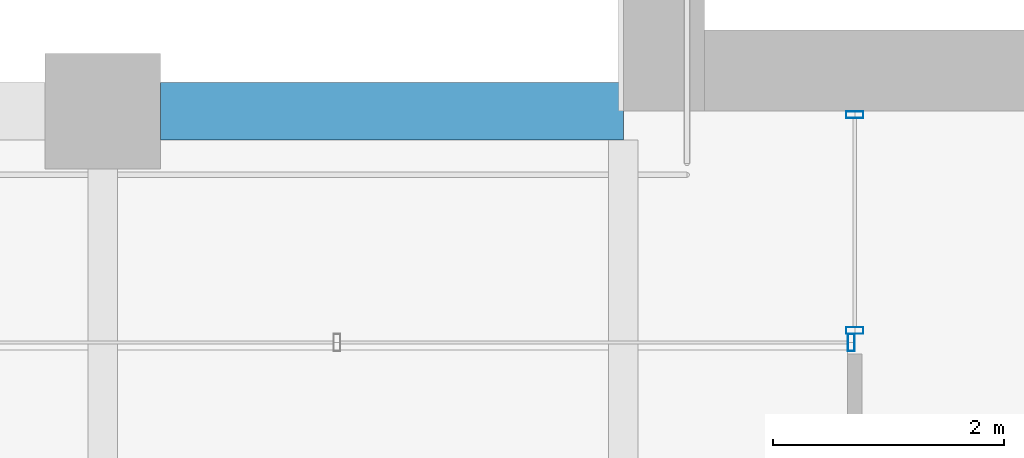
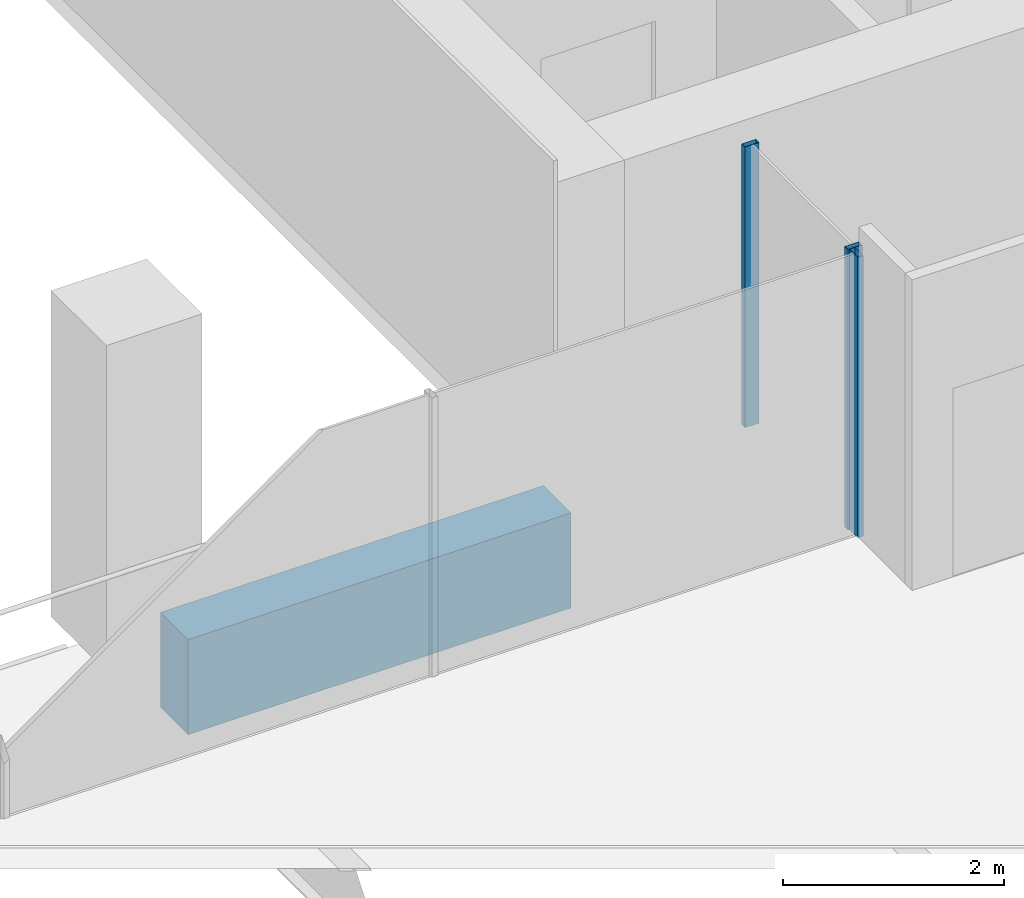
# One storey, part 6 of 46: 3 members, 1 beam, 2 elements without a shape of their own.
"""IFC4 building model written with IfcOpenShell, lengths in metres."""

from ifc_helpers import new_model, si_unit, direction, frame, origin, origin_2d, place, context, subcontext, project, spatial, rectangle, hollow_rectangle, extrude, material, material_profile, profile_set, type_object, element, aggregate, save


model = new_model("IFC4")

# Units and contexts
model_context = context("Model", 3, precision=1e-05, world=origin(), true_north=direction((0.0, 1.0)))
body_context = subcontext(model_context, "Body", "Model", "MODEL_VIEW")
ifc_project = project(units=[si_unit("LENGTHUNIT", "METRE"), si_unit("AREAUNIT", "SQUARE_METRE"), si_unit("VOLUMEUNIT", "CUBIC_METRE"), si_unit("PLANEANGLEUNIT", "RADIAN"), si_unit("MASSUNIT", "GRAM", prefix="KILO")], contexts=[model_context])

# Site, building, storey
site_placement = place(None, origin())
site = spatial("IfcSite", under=ifc_project, at=site_placement, CompositionType="ELEMENT")
building_placement = place(site_placement, origin())
building = spatial("IfcBuilding", under=site, at=building_placement, Name="Altepetl Exchange Towers", CompositionType="ELEMENT")
storey_placement = place(building_placement, frame((0.0, 0.0, 102.800048828125)))
storey = spatial("IfcBuildingStorey", under=building, at=storey_placement, Name="L25", CompositionType="ELEMENT", Elevation=102.800048828125)

# Curtain wall, members
ifc_material_1 = material(Name="Aluminium 6063-T6 glazing", Category="aluminium")
curtain_wall_type = type_object("IfcCurtainWallType", Name="Loggia glazing system", PredefinedType="NOTDEFINED", material=ifc_material_1)
curtain_wall_1_placement = place(storey_placement, origin())
curtain_wall_1 = element("IfcCurtainWall", 1, at=curtain_wall_1_placement, inside=storey, type_object=curtain_wall_type, Name="CW1 run", PredefinedType="NOTDEFINED")
ifc_material_2 = material(Name="Aluminium 6063-T6", Category="aluminium")
ifc_material_profile_1 = material_profile(ifc_material_2, hollow_rectangle(XDim=0.06005859375, YDim=0.14990234375, WallThickness=0.0029296875, at=origin_2d()), Name="Mullion 60x150 aluminium")
ifc_profile_set_1 = profile_set([ifc_material_profile_1], Name="Aluminium 6063-T6")
member_type = type_object("IfcMemberType", Name="Mullion 60x150 aluminium", PredefinedType="MULLION", material=ifc_profile_set_1)
member_1_placement = place(storey_placement, frame((42.5, 40.469970703125, 0.0), z_axis=(0.0, 0.0, 1.0), x_axis=(0.0, -1.0, 0.0)))
member_1 = element("IfcMember", 2, at=member_1_placement, type_object=member_type, Name="MU1 mullion", PredefinedType="MULLION", context=body_context, shape_type="SweptSolid", body=[
    extrude(hollow_rectangle(XDim=0.06005859375, YDim=0.14990234375, WallThickness=0.0029296875, at=origin_2d()), origin(), (0.0, 0.0, 1.0), 3.099853515625),
])
member_2_placement = place(storey_placement, frame((42.5, 38.60498046875, 0.0), z_axis=(0.0, 0.0, 1.0), x_axis=(0.0, -1.0, 0.0)))
member_2 = element("IfcMember", 3, at=member_2_placement, type_object=member_type, Name="MU1 mullion", PredefinedType="MULLION", context=body_context, shape_type="SweptSolid", body=[
    extrude(hollow_rectangle(XDim=0.06005859375, YDim=0.14990234375, WallThickness=0.0029296875, at=origin_2d()), origin(), (0.0, 0.0, 1.0), 3.099853515625),
])
aggregate(curtain_wall_1, [member_1, member_2])

# Curtain wall, member
curtain_wall_2_placement = place(storey_placement, origin())
curtain_wall_2 = element("IfcCurtainWall", 4, at=curtain_wall_2_placement, inside=storey, type_object=curtain_wall_type, Name="CW1 run", PredefinedType="NOTDEFINED")
member_3_placement = place(storey_placement, frame((42.469970703125, 38.5, 0.0), z_axis=(0.0, 0.0, 1.0), x_axis=(-1.0, 0.0, 0.0)))
member_3 = element("IfcMember", 5, at=member_3_placement, type_object=member_type, Name="MU1 mullion", PredefinedType="MULLION", context=body_context, shape_type="SweptSolid", body=[
    extrude(hollow_rectangle(XDim=0.06005859375, YDim=0.14990234375, WallThickness=0.0029296875, at=origin_2d()), origin(), (0.0, 0.0, 1.0), 3.099853515625),
])
aggregate(curtain_wall_2, [member_3])

# Beam
ifc_material_3 = material(Name="Concrete C50/60 precast with tezontle facing", Category="concrete")
ifc_material_profile_2 = material_profile(ifc_material_3, rectangle(XDim=0.5, YDim=1.050048828125, at=origin_2d()), Name="500 x 1050")
ifc_profile_set_2 = profile_set([ifc_material_profile_2], Name="Concrete C50/60 precast with tezontle facing")
beam_type = type_object("IfcBeamType", Name="Spandrel beam 500x1050 tezontle", PredefinedType="SPANDREL", material=ifc_profile_set_2)
beam_placement = place(storey_placement, frame((40.5, 40.5, -0.675048828125), z_axis=(-1.0, 0.0, 0.0), x_axis=(0.0, -1.0, 0.0)))
element("IfcBeam", 6, at=beam_placement, inside=storey, type_object=beam_type, Name="sp:A:L25:033", PredefinedType="SPANDREL", context=body_context, shape_type="SweptSolid", body=[
    extrude(rectangle(XDim=0.5, YDim=1.050048828125, at=origin_2d()), origin(), (0.0, 0.0, 1.0), 4.0),
])

save(model, "model.ifc")
